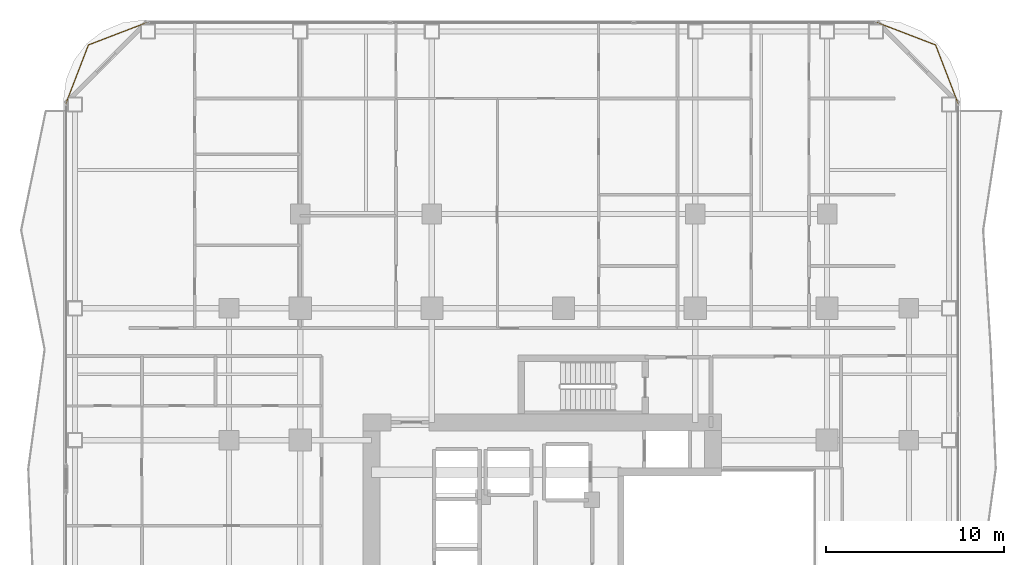
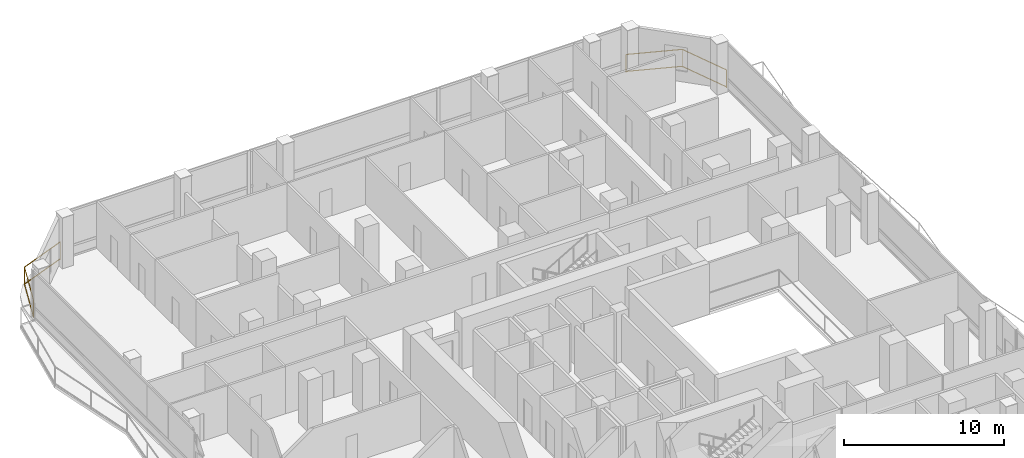
# One storey, part 28 of 28: 2 railings.
"""IFC4 building model written with IfcOpenShell, lengths in metres."""

import ifcopenshell
import ifcopenshell.guid

model = None  # the IFC model being written
_history = None  # IfcOwnerHistory: only IFC2X3 demands one
_inside = {}  # id of a spatial element -> (the spatial element, [elements in it])
_under = {}  # id of a project, library or spatial element -> (it, [spatial elements below it])
_declared = {}  # id of a project -> (the project, [libraries it declares])
_typed = {}  # id of a type object -> (the type object, [elements of that type])
_made_of = {}  # id of a material, layer set ... -> (it, [elements and type objects made of it])


def new_model(schema):
    """Start an empty IFC model of exactly this schema.

    Asked for "IFC4X3", IfcOpenShell would pick the latest addendum, in which some entities
    have other attributes; the version numbers below select the first issue.
    IFC2X3 requires an IfcOwnerHistory on every rooted entity: one is made here for all.
    """
    global model, _history
    if schema == "IFC4X3":
        model = ifcopenshell.file(schema_version=(4, 3, 0, 0))
    else:
        model = ifcopenshell.file(schema=schema)
    _inside.clear()
    _under.clear()
    _declared.clear()
    _typed.clear()
    _made_of.clear()
    _history = None
    if model.schema == "IFC2X3":
        org = make("IfcOrganization", Name="unknown")
        user = make(
            "IfcPersonAndOrganization",
            ThePerson=make("IfcPerson", FamilyName="unknown"),
            TheOrganization=org,
        )
        app = make(
            "IfcApplication",
            ApplicationDeveloper=org,
            Version="unknown",
            ApplicationFullName="unknown",
            ApplicationIdentifier="unknown",
        )
        _history = make(
            "IfcOwnerHistory",
            OwningUser=user,
            OwningApplication=app,
            ChangeAction="ADDED",
            CreationDate=0,
        )
    return model


def make(cls, **values):
    """One entity of the class cls with the attributes given. An attribute that is None is left unset."""
    return model.create_entity(
        cls, **{name: value for name, value in values.items() if value is not None}
    )


def rooted(cls, **values):
    """An entity with a GlobalId (a new one), such as an element, a storey or a relation."""
    return make(cls, GlobalId=ifcopenshell.guid.new(), OwnerHistory=_history, **values)


def si_unit(unit_type, name, prefix=None):
    """IfcSIUnit, for example si_unit("LENGTHUNIT", "METRE", prefix="MILLI")."""
    return make("IfcSIUnit", UnitType=unit_type, Prefix=prefix, Name=name)


def assignment(units):
    """IfcUnitAssignment: the units of a project."""
    return None if units is None else make("IfcUnitAssignment", Units=units)


def point(xyz):
    """IfcCartesianPoint."""
    return None if xyz is None else make("IfcCartesianPoint", Coordinates=xyz)


def direction(xyz):
    """IfcDirection."""
    return None if xyz is None else make("IfcDirection", DirectionRatios=xyz)


def frame(location, z_axis=None, x_axis=None):
    """IfcAxis2Placement3D, a coordinate frame: its origin and axes. An axis left out is left unset."""
    return make(
        "IfcAxis2Placement3D",
        Location=point(location),
        Axis=direction(z_axis),
        RefDirection=direction(x_axis),
    )


def frame_2d(location, x_axis=None):
    """IfcAxis2Placement2D, a coordinate frame in the plane: its origin and x axis."""
    return make(
        "IfcAxis2Placement2D", Location=point(location), RefDirection=direction(x_axis)
    )


def origin():
    """The frame at (0, 0, 0) with its axes left unset."""
    return frame((0.0, 0.0, 0.0))


def origin_2d():
    """The frame at (0, 0) in the plane with its x axis left unset."""
    return frame_2d((0.0, 0.0))


def place(relative_to, where):
    """IfcLocalPlacement: puts the frame where relative to a parent placement (None: the world)."""
    return make(
        "IfcLocalPlacement", PlacementRelTo=relative_to, RelativePlacement=where
    )


def context(
    kind, dimensions, precision=None, world=None, true_north=None, identifier=None
):
    """IfcGeometricRepresentationContext, for example the 3D "Model" context."""
    return make(
        "IfcGeometricRepresentationContext",
        ContextIdentifier=identifier,
        ContextType=kind,
        CoordinateSpaceDimension=dimensions,
        Precision=precision,
        WorldCoordinateSystem=world,
        TrueNorth=true_north,
    )


def subcontext(parent, identifier, kind, view, scale=None):
    """IfcGeometricRepresentationSubContext, for example "Body" below "Model"."""
    return make(
        "IfcGeometricRepresentationSubContext",
        ContextIdentifier=identifier,
        ContextType=kind,
        ParentContext=parent,
        TargetScale=scale,
        TargetView=view,
    )


def project(units=None, contexts=None):
    """IfcProject with its units and contexts."""
    return rooted(
        "IfcProject",
        Name="project",
        RepresentationContexts=contexts,
        UnitsInContext=assignment(units),
    )


def spatial(cls, under=None, at=None, **own):
    """A site, building, storey or space (cls), placed at a placement, below another one or the project."""
    s = rooted(cls, ObjectPlacement=at, **own)
    if under is not None:
        _under.setdefault(under.id(), (under, []))[1].append(s)
    return s


def profile(cls, at=None, kind="AREA", **sizes):
    """A parametric profile (cls). Its sizes go by their IFC names, for example OverallWidth=200.0."""
    return make(cls, ProfileType=kind, Position=at, **sizes)


def rectangle(**sizes):
    """IfcRectangleProfileDef."""
    return profile("IfcRectangleProfileDef", **sizes)


def extrude(swept, where, along, depth):
    """IfcExtrudedAreaSolid: the profile swept, set in the frame where, extruded along a direction by depth."""
    return make(
        "IfcExtrudedAreaSolid",
        SweptArea=swept,
        Position=where,
        ExtrudedDirection=direction(along),
        Depth=depth,
    )


def shape(context_of_items, identifier, shape_type, items):
    """IfcShapeRepresentation: the items that make up one representation, for example the "Body"."""
    return make(
        "IfcShapeRepresentation",
        ContextOfItems=context_of_items,
        RepresentationIdentifier=identifier,
        RepresentationType=shape_type,
        Items=items,
    )


def material(Name=None, Category=None):
    """IfcMaterial."""
    return make("IfcMaterial", Name=Name, Category=Category)


def made_of(thing, what):
    """Note that an element or type object is made of a material, layer set ...; save() writes the relation."""
    if what is not None:
        _made_of.setdefault(what.id(), (what, []))[1].append(thing)
    return thing


def type_object(cls, material=None, **own):
    """A type object (cls), such as IfcWallType, which elements share."""
    return made_of(rooted(cls, **own), material)


def element(
    cls,
    number,
    at=None,
    inside=None,
    cuts=None,
    type_object=None,
    material=None,
    context=None,
    identifier="Body",
    shape_type=None,
    held_by="IfcProductDefinitionShape",
    body=None,
    shapes=None,
    **own,
):
    """One element of the class cls, such as IfcWall. Its Tag is "e" and its number.

    at: its placement. inside: the storey or other place that contains it. cuts: it is an
    opening in that element (IfcRelVoidsElement). A single representation is given by context,
    identifier, shape_type and body (its items); several are given by shapes. held_by: the class
    of the entity that holds the representations. save() writes the other relations.
    """
    e = rooted(cls, Tag="e%d" % number, ObjectPlacement=at, **own)
    if body is not None:
        shapes = [shape(context, identifier, shape_type, body)]
    if shapes is not None:
        e.Representation = make(held_by, Representations=shapes)
    if inside is not None:
        _inside.setdefault(inside.id(), (inside, []))[1].append(e)
    if cuts is not None:
        rooted(
            "IfcRelVoidsElement", RelatingBuildingElement=cuts, RelatedOpeningElement=e
        )
    if type_object is not None:
        _typed.setdefault(type_object.id(), (type_object, []))[1].append(e)
    return made_of(e, material)


def aggregate(whole, parts):
    """IfcRelAggregates: a whole, such as a stair, and the parts it consists of."""
    return rooted("IfcRelAggregates", RelatingObject=whole, RelatedObjects=parts)


def save(model, path):
    """Write the relations noted so far, then the file.

    IfcRelAggregates (storeys below a building ...), IfcRelContainedInSpatialStructure (elements
    in a storey), IfcRelDefinesByType, IfcRelAssociatesMaterial and IfcRelDeclares: one each for
    every whole, place, type object, material and project.
    """
    for whole, parts in _under.values():
        aggregate(whole, parts)
    for where, things in _inside.values():
        rooted(
            "IfcRelContainedInSpatialStructure",
            RelatedElements=things,
            RelatingStructure=where,
        )
    for kind, things in _typed.values():
        rooted("IfcRelDefinesByType", RelatedObjects=things, RelatingType=kind)
    for what, things in _made_of.values():
        rooted("IfcRelAssociatesMaterial", RelatedObjects=things, RelatingMaterial=what)
    for by, libraries in _declared.values():
        rooted("IfcRelDeclares", RelatingContext=by, RelatedDefinitions=libraries)
    model.write(path)


model = new_model("IFC4")

# Units and contexts
model_context = context("Model", 3, precision=1e-05, world=origin(), true_north=direction((0.0, 1.0)))
body_context = subcontext(model_context, "Body", "Model", "MODEL_VIEW")
ifc_project = project(units=[si_unit("LENGTHUNIT", "METRE"), si_unit("AREAUNIT", "SQUARE_METRE"), si_unit("VOLUMEUNIT", "CUBIC_METRE"), si_unit("PLANEANGLEUNIT", "RADIAN"), si_unit("MASSUNIT", "GRAM", prefix="KILO")], contexts=[model_context])

# Site, building, storey
site_placement = place(None, origin())
site = spatial("IfcSite", under=ifc_project, at=site_placement, CompositionType="ELEMENT")
building_placement = place(site_placement, origin())
building = spatial("IfcBuilding", under=site, at=building_placement, Name="Khorvyn Point Tower", CompositionType="ELEMENT")
storey_placement = place(building_placement, frame((0.0, 0.0, 104.699951171875)))
storey = spatial("IfcBuildingStorey", under=building, at=storey_placement, Name="L26", CompositionType="ELEMENT", Elevation=104.699951171875)

# Railings
ifc_material = material(Name="Anodised aluminium 6063-T6 and laminated safety glass", Category="aluminium")
railing_type = type_object("IfcRailingType", Name="Laminated Glass and Aluminium Balcony Guardrail 1400", PredefinedType="BALUSTRADE", material=ifc_material)
railing_1_placement = place(storey_placement, frame((-23.370849609375, 30.8740234375, 0.0)))
element("IfcRailing", 1, at=railing_1_placement, inside=storey, type_object=railing_type, Name="L26 Rounded Corner Edge Guardrail NW", PredefinedType="BALUSTRADE", context=body_context, shape_type="SweptSolid", body=[
    extrude(rectangle(XDim=0.048095703125, YDim=0.048095703125, at=origin_2d()), frame((0.0, 0.0, 1.3759765625), z_axis=(-0.933575007025, -0.358382067435, 0.0), x_axis=(0.358382067435, -0.933575007025, 0.0)), (0.0, 0.0, 1.0), 3.562744140625),
    extrude(rectangle(XDim=0.048095703125, YDim=0.048095703125, at=origin_2d()), frame((0.0, 0.0, 0.080078125), z_axis=(-0.933575007025, -0.358382067435, 0.0), x_axis=(0.358382067435, -0.933575007025, 0.0)), (0.0, 0.0, 1.0), 3.562744140625),
    extrude(rectangle(XDim=0.048095703125, YDim=0.048095703125, at=origin_2d()), frame((-3.326171875, -1.27685546875, 1.3759765625), z_axis=(-0.35841886047, -0.933560882031, 0.0), x_axis=(0.933560882031, -0.35841886047, 0.0)), (0.0, 0.0, 1.0), 3.563232421875),
    extrude(rectangle(XDim=0.048095703125, YDim=0.048095703125, at=origin_2d()), frame((-3.326171875, -1.27685546875, 0.080078125), z_axis=(-0.35841886047, -0.933560882031, 0.0), x_axis=(0.933560882031, -0.35841886047, 0.0)), (0.0, 0.0, 1.0), 3.563232421875),
    extrude(rectangle(XDim=0.0419921875, YDim=0.0419921875, at=origin_2d()), origin(), (0.0, 0.0, 1.0), 1.351806640625),
    extrude(rectangle(XDim=0.0419921875, YDim=0.0419921875, at=origin_2d()), frame((-3.326171875, -1.27685546875, 0.0)), (0.0, 0.0, 1.0), 1.351806640625),
    extrude(rectangle(XDim=0.0419921875, YDim=0.0419921875, at=origin_2d()), frame((-4.603271484375, -4.603271484375, 0.0)), (0.0, 0.0, 1.0), 1.351806640625),
])
railing_2_placement = place(storey_placement, frame((22.174072265625, 26.270751953125, 0.0)))
element("IfcRailing", 2, at=railing_2_placement, inside=storey, type_object=railing_type, Name="L26 Rounded Corner Edge Guardrail NE", PredefinedType="BALUSTRADE", context=body_context, shape_type="SweptSolid", body=[
    extrude(rectangle(XDim=0.048095703125, YDim=0.048095703125, at=origin_2d()), frame((0.0, 0.0, 1.3759765625), z_axis=(-0.358359142172, 0.933583807283, 0.0), x_axis=(-0.933583807283, -0.358359142172, 0.0)), (0.0, 0.0, 1.0), 3.56298828125),
    extrude(rectangle(XDim=0.048095703125, YDim=0.048095703125, at=origin_2d()), frame((0.0, 0.0, 0.080078125), z_axis=(-0.358359142172, 0.933583807283, 0.0), x_axis=(-0.933583807283, -0.358359142172, 0.0)), (0.0, 0.0, 1.0), 3.56298828125),
    extrude(rectangle(XDim=0.048095703125, YDim=0.048095703125, at=origin_2d()), frame((-1.27685546875, 3.326416015625, 1.3759765625), z_axis=(-0.933583807283, 0.358359142172, 0.0), x_axis=(-0.358359142172, -0.933583807283, 0.0)), (0.0, 0.0, 1.0), 3.56298828125),
    extrude(rectangle(XDim=0.048095703125, YDim=0.048095703125, at=origin_2d()), frame((-1.27685546875, 3.326416015625, 0.080078125), z_axis=(-0.933583807283, 0.358359142172, 0.0), x_axis=(-0.358359142172, -0.933583807283, 0.0)), (0.0, 0.0, 1.0), 3.56298828125),
    extrude(rectangle(XDim=0.0419921875, YDim=0.0419921875, at=origin_2d()), origin(), (0.0, 0.0, 1.0), 1.351806640625),
    extrude(rectangle(XDim=0.0419921875, YDim=0.0419921875, at=origin_2d()), frame((-1.27685546875, 3.326416015625, 0.0)), (0.0, 0.0, 1.0), 1.351806640625),
    extrude(rectangle(XDim=0.0419921875, YDim=0.0419921875, at=origin_2d()), frame((-4.603271484375, 4.603271484375, 0.0)), (0.0, 0.0, 1.0), 1.351806640625),
])

save(model, "model.ifc")
